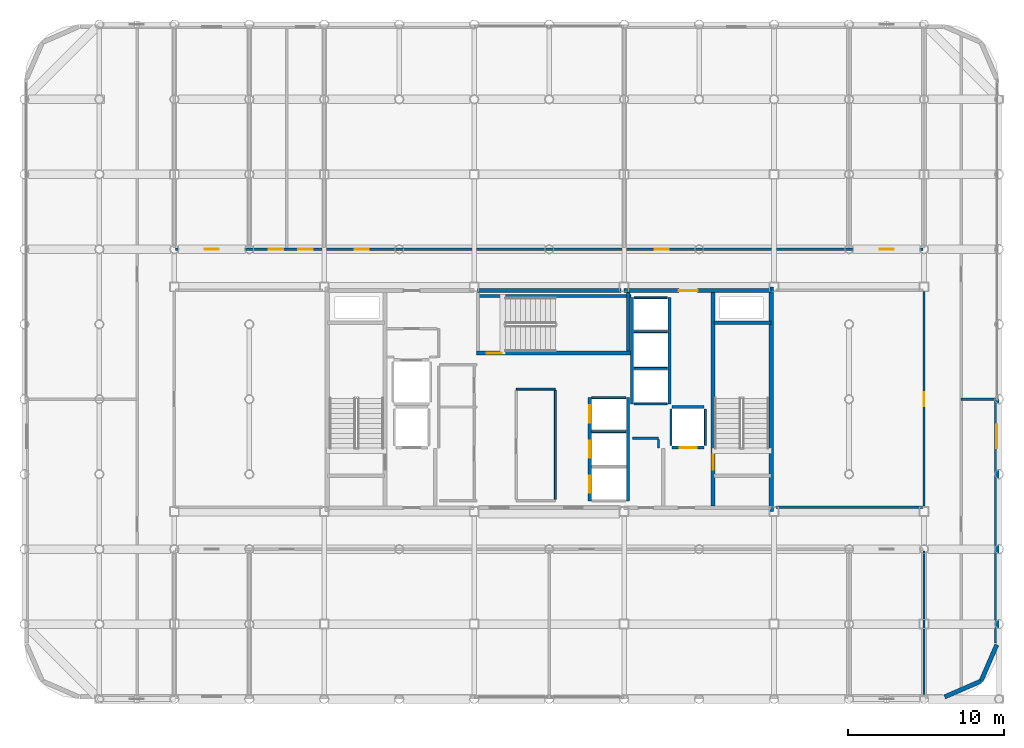
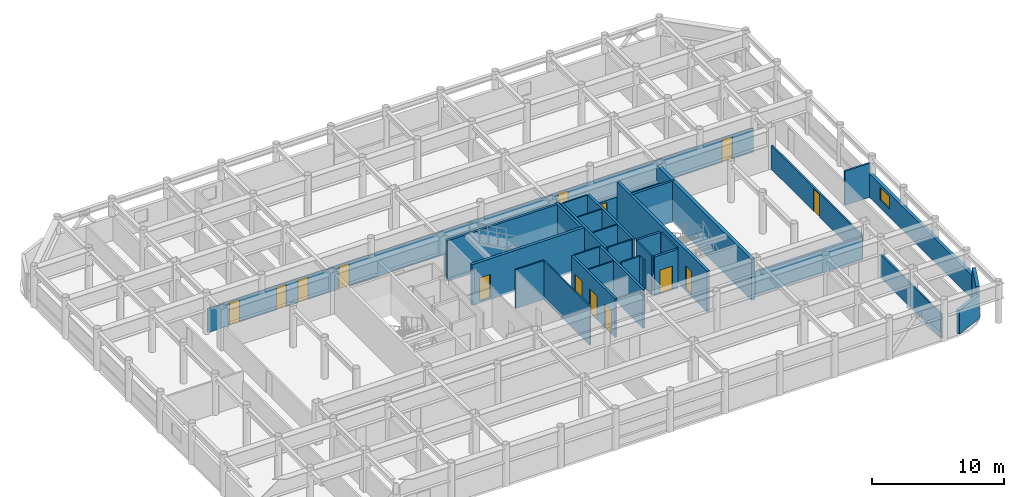
# One storey, part 19 of 21: 34 walls, 14 doors, 1 window, 15 openings.
"""IFC4 building model written with IfcOpenShell, lengths in metres."""

from ifc_helpers import new_model, si_unit, direction, frame, frame_2d, origin, place, context, subcontext, project, spatial, rectangle, extrude, material, layer, layer_set, type_object, element, fill, save


model = new_model("IFC4")

# Units and contexts
model_context = context("Model", 3, precision=1e-05, world=origin(), true_north=direction((0.0, 1.0)))
body_context = subcontext(model_context, "Body", "Model", "MODEL_VIEW")
ifc_project = project(units=[si_unit("LENGTHUNIT", "METRE"), si_unit("AREAUNIT", "SQUARE_METRE"), si_unit("VOLUMEUNIT", "CUBIC_METRE"), si_unit("PLANEANGLEUNIT", "RADIAN"), si_unit("MASSUNIT", "GRAM", prefix="KILO")], contexts=[model_context])

# Site, building, storey
site_placement = place(None, origin())
site = spatial("IfcSite", under=ifc_project, at=site_placement, CompositionType="ELEMENT")
building_placement = place(site_placement, origin())
building = spatial("IfcBuilding", under=site, at=building_placement, Name="Kallvorn Hotel Tower", CompositionType="ELEMENT")
storey_placement = place(building_placement, frame((0.0, 0.0, 272.35009765625)))
storey = spatial("IfcBuildingStorey", under=building, at=storey_placement, Name="L68", CompositionType="ELEMENT", Elevation=272.35009765625)

# Walls
ifc_material_1 = material(Name="Concrete C50/60", Category="concrete")
ifc_layer_1 = layer(ifc_material_1, 0.300048828125)
ifc_layer_set_1 = layer_set([ifc_layer_1], Name="WL_CORE_300")
wall_type_1 = type_object("IfcWallType", Name="WL_CORE_300", PredefinedType="SHEAR", material=ifc_layer_set_1)
wall_1_placement = place(storey_placement, frame((14.215087890625, -7.199951171875, -0.18017578125), z_axis=(0.0, 0.0, 1.0), x_axis=(0.0, 1.0, 0.0)))
element("IfcWall", 1, at=wall_1_placement, inside=storey, type_object=wall_type_1, Name="L68 Core East Shear Wall", PredefinedType="SHEAR", context=body_context, shape_type="SweptSolid", body=[
    extrude(rectangle(XDim=14.39990234375, YDim=0.300048828125, at=frame_2d((7.199951171875, 0.0))), origin(), (0.0, 0.0, 1.0), 3.780029296875),
])
ifc_material_2 = material(Name="Precast basalt-clad insulated concrete wall C40/50", Category="masonry")
ifc_layer_2 = layer(ifc_material_2, 0.280029296875)
ifc_layer_set_2 = layer_set([ifc_layer_2], Name="WL_EXT_LOGGIA_280")
wall_type_2 = type_object("IfcWallType", Name="WL_EXT_LOGGIA_280", PredefinedType="SOLIDWALL", material=ifc_layer_set_2)
wall_2_placement = place(storey_placement, frame((25.32080078125, -19.057861328125, 0.0), z_axis=(0.0, 0.0, 1.0), x_axis=(0.917060872934, 0.398747232384, 0.0)))
element("IfcWall", 2, at=wall_2_placement, inside=storey, type_object=wall_type_2, Name="L68 Rounded Corner Exterior Wall SE1", PredefinedType="SOLIDWALL", context=body_context, shape_type="SweptSolid", body=[
    extrude(rectangle(XDim=2.5361328125, YDim=0.280029296875, at=frame_2d((1.26806640625, 0.0))), origin(), (0.0, 0.0, 1.0), 2.199951171875),
])
wall_3_placement = place(storey_placement, frame((27.646484375, -18.046630859375, 0.0), z_axis=(0.0, 0.0, 1.0), x_axis=(0.398792985289, 0.917040977756, 0.0)))
element("IfcWall", 3, at=wall_3_placement, inside=storey, type_object=wall_type_2, Name="L68 Rounded Corner Exterior Wall SE2", PredefinedType="SOLIDWALL", context=body_context, shape_type="SweptSolid", body=[
    extrude(rectangle(XDim=2.536376953125, YDim=0.280029296875, at=frame_2d((1.26806640625, 0.0))), origin(), (0.0, 0.0, 1.0), 2.949951171875),
])

# Wall, opening, window
wall_4_placement = place(storey_placement, frame((28.659912109375, -15.60009765625, 0.0), z_axis=(0.0, 0.0, 1.0), x_axis=(0.0, 1.0, 0.0)))
wall_4 = element("IfcWall", 4, at=wall_4_placement, inside=storey, type_object=wall_type_2, Name="L68 Exterior Envelope Wall EW-L68-ES", PredefinedType="SOLIDWALL", context=body_context, shape_type="SweptSolid", body=[
    extrude(rectangle(XDim=15.580078125, YDim=0.280029296875, at=frame_2d((7.7900390625, 0.0))), origin(), (0.0, 0.0, 1.0), 2.199951171875),
])
opening_1_placement = place(wall_4_placement, frame((12.449951171875, 0.0, 0.75)))
opening_1 = element("IfcOpeningElement", 5, at=opening_1_placement, cuts=wall_4, Name="Opening W05A", PredefinedType="OPENING", context=body_context, shape_type="SweptSolid", body=[
    extrude(rectangle(XDim=1.5, YDim=1.14990234375, at=frame_2d((0.75, 0.574951171875))), frame((0.0, 0.155029296875, 0.0), z_axis=(0.0, -1.0, 0.0), x_axis=(1.0, 0.0, 0.0)), (0.0, 0.0, 1.0), 0.31005859375),
])
ifc_material_3 = material(Name="Double-glazed low-e solar-control dark glass", Category="glass")
window_type = type_object("IfcWindowType", Name="WN_HTL_1500x1150", PartitioningType="SINGLE_PANEL", PredefinedType="WINDOW", material=ifc_material_3)
window_placement = place(opening_1_placement, origin())
window = element("IfcWindow", 6, at=window_placement, inside=storey, type_object=window_type, Name="L68 Flank Wing Window 04", OverallHeight=1.14990234375, OverallWidth=1.5, PartitioningType="SINGLE_PANEL", PredefinedType="WINDOW", context=body_context, shape_type="SweptSolid", body=[
    extrude(rectangle(XDim=1.5, YDim=1.14990234375, at=frame_2d((0.75, 0.574951171875))), frame((0.0, 0.030029296875, 0.0), z_axis=(0.0, -1.0, 0.0), x_axis=(1.0, 0.0, 0.0)), (0.0, 0.0, 1.0), 0.06005859375),
])
fill(opening_1, window)

# Walls
ifc_material_4 = material(Name="Concrete C40/50", Category="concrete")
ifc_layer_3 = layer(ifc_material_4, 0.199951171875)
ifc_layer_set_3 = layer_set([ifc_layer_3], Name="WL_HOIST_200")
wall_type_3 = type_object("IfcWallType", Name="WL_HOIST_200", PredefinedType="SOLIDWALL", material=ifc_layer_set_3)
wall_5_placement = place(storey_placement, frame((10.550048828125, 4.89990234375, -0.18017578125), z_axis=(0.0, 0.0, 1.0), x_axis=(1.0, 0.0, 0.0)))
element("IfcWall", 7, at=wall_5_placement, inside=storey, type_object=wall_type_3, Name="L68 Stair ST2 North Wall", PredefinedType="SOLIDWALL", context=body_context, shape_type="SweptSolid", body=[
    extrude(rectangle(XDim=3.64990234375, YDim=0.199951171875, at=frame_2d((1.824951171875, 0.0))), origin(), (0.0, 0.0, 1.0), 3.780029296875),
])
wall_6_placement = place(storey_placement, frame((-4.64990234375, 6.610107421875, -0.18017578125), z_axis=(0.0, 0.0, 1.0), x_axis=(1.0, 0.0, 0.0)))
element("IfcWall", 8, at=wall_6_placement, inside=storey, type_object=wall_type_3, Name="L68 Stair ST3 Shaft North Wall", PredefinedType="SOLIDWALL", context=body_context, shape_type="SweptSolid", body=[
    extrude(rectangle(XDim=9.89990234375, YDim=0.199951171875, at=frame_2d((4.949951171875, 0.0))), origin(), (0.0, 0.0, 1.0), 3.780029296875),
])
wall_7_placement = place(storey_placement, frame((5.06005859375, 3.080078125, -0.18017578125), z_axis=(0.0, 0.0, 1.0), x_axis=(0.0, 1.0, 0.0)))
element("IfcWall", 9, at=wall_7_placement, inside=storey, type_object=wall_type_3, Name="L68 Stair ST3 East Wall", PredefinedType="SOLIDWALL", context=body_context, shape_type="SweptSolid", body=[
    extrude(rectangle(XDim=3.739990234375, YDim=0.199951171875, at=frame_2d((1.8701171875, 0.0))), origin(), (0.0, 0.0, 1.0), 3.780029296875),
])

# Wall, openings, doors
wall_8_placement = place(storey_placement, frame((2.60009765625, -6.5, 0.0), z_axis=(0.0, 0.0, 1.0), x_axis=(0.0, 1.0, 0.0)))
wall_8 = element("IfcWall", 10, at=wall_8_placement, inside=storey, type_object=wall_type_3, Name="L68 Lift Bank B3A Landing Wall", PredefinedType="SOLIDWALL", context=body_context, shape_type="SweptSolid", body=[
    extrude(rectangle(XDim=6.60009765625, YDim=0.199951171875, at=frame_2d((3.300048828125, 0.0))), origin(), (0.0, 0.0, 1.0), 3.599853515625),
])
opening_2_placement = place(wall_8_placement, frame((0.5, 0.0, 0.0)))
opening_2 = element("IfcOpeningElement", 11, at=opening_2_placement, cuts=wall_8, Name="Opening LD-PL-09", PredefinedType="OPENING", context=body_context, shape_type="SweptSolid", body=[
    extrude(rectangle(XDim=1.10009765625, YDim=2.199951171875, at=frame_2d((0.550048828125, 1.10009765625))), frame((0.0, 0.114990234375, 0.0), z_axis=(0.0, -1.0, 0.0), x_axis=(1.0, 0.0, 0.0)), (0.0, 0.0, 1.0), 0.22998046875),
])
opening_3_placement = place(wall_8_placement, frame((2.75, 0.0, 0.0)))
opening_3 = element("IfcOpeningElement", 12, at=opening_3_placement, cuts=wall_8, Name="Opening LD-PL-10", PredefinedType="OPENING", context=body_context, shape_type="SweptSolid", body=[
    extrude(rectangle(XDim=1.10009765625, YDim=2.199951171875, at=frame_2d((0.550048828125, 1.10009765625))), frame((0.0, 0.114990234375, 0.0), z_axis=(0.0, -1.0, 0.0), x_axis=(1.0, 0.0, 0.0)), (0.0, 0.0, 1.0), 0.22998046875),
])
opening_4_placement = place(wall_8_placement, frame((5.0, 0.0, 0.0)))
opening_4 = element("IfcOpeningElement", 13, at=opening_4_placement, cuts=wall_8, Name="Opening LD-PL-11", PredefinedType="OPENING", context=body_context, shape_type="SweptSolid", body=[
    extrude(rectangle(XDim=1.10009765625, YDim=2.199951171875, at=frame_2d((0.550048828125, 1.10009765625))), frame((0.0, 0.114990234375, 0.0), z_axis=(0.0, -1.0, 0.0), x_axis=(1.0, 0.0, 0.0)), (0.0, 0.0, 1.0), 0.22998046875),
])
ifc_material_5 = material(Name="Brushed stainless-steel automatic sliding lift landing door", Category="steel")
door_type_1 = type_object("IfcDoorType", Name="LD_PASS_1100x2200", OperationType="SLIDING_TO_LEFT", PredefinedType="DOOR", material=ifc_material_5)
door_1_placement = place(opening_2_placement, origin())
door_1 = element("IfcDoor", 14, at=door_1_placement, inside=storey, type_object=door_type_1, Name="L68 Lift Landing Sliding Door LD-PL-09", OperationType="SLIDING_TO_LEFT", OverallHeight=2.199951171875, OverallWidth=1.10009765625, PredefinedType="DOOR", context=body_context, shape_type="SweptSolid", body=[
    extrude(rectangle(XDim=1.10009765625, YDim=2.199951171875, at=frame_2d((0.550048828125, 1.10009765625))), frame((0.0, 0.02490234375, 0.0), z_axis=(0.0, -1.0, 0.0), x_axis=(1.0, 0.0, 0.0)), (0.0, 0.0, 1.0), 0.050048828125),
])
fill(opening_2, door_1)
door_2_placement = place(opening_3_placement, origin())
door_2 = element("IfcDoor", 15, at=door_2_placement, inside=storey, type_object=door_type_1, Name="L68 Lift Landing Sliding Door LD-PL-10", OperationType="SLIDING_TO_LEFT", OverallHeight=2.199951171875, OverallWidth=1.10009765625, PredefinedType="DOOR", context=body_context, shape_type="SweptSolid", body=[
    extrude(rectangle(XDim=1.10009765625, YDim=2.199951171875, at=frame_2d((0.550048828125, 1.10009765625))), frame((0.0, 0.02490234375, 0.0), z_axis=(0.0, -1.0, 0.0), x_axis=(1.0, 0.0, 0.0)), (0.0, 0.0, 1.0), 0.050048828125),
])
fill(opening_3, door_2)
door_3_placement = place(opening_4_placement, origin())
door_3 = element("IfcDoor", 16, at=door_3_placement, inside=storey, type_object=door_type_1, Name="L68 Lift Landing Sliding Door LD-PL-11", OperationType="SLIDING_TO_LEFT", OverallHeight=2.199951171875, OverallWidth=1.10009765625, PredefinedType="DOOR", context=body_context, shape_type="SweptSolid", body=[
    extrude(rectangle(XDim=1.10009765625, YDim=2.199951171875, at=frame_2d((0.550048828125, 1.10009765625))), frame((0.0, 0.02490234375, 0.0), z_axis=(0.0, -1.0, 0.0), x_axis=(1.0, 0.0, 0.0)), (0.0, 0.0, 1.0), 0.050048828125),
])
fill(opening_4, door_3)

# Walls
wall_9_placement = place(storey_placement, frame((5.050048828125, -6.5, 0.0), z_axis=(0.0, 0.0, 1.0), x_axis=(0.0, 1.0, 0.0)))
element("IfcWall", 17, at=wall_9_placement, inside=storey, type_object=wall_type_3, Name="L68 Lift Bank B3A Rear Shaft Wall", PredefinedType="SOLIDWALL", context=body_context, shape_type="SweptSolid", body=[
    extrude(rectangle(XDim=6.60009765625, YDim=0.199951171875, at=frame_2d((3.300048828125, 0.0))), origin(), (0.0, 0.0, 1.0), 3.599853515625),
])
for number, where, z_axis, x_axis, name in (
    (18, (7.699951171875, -0.300048828125, 0.0), (0.0, 0.0, 1.0), (0.0, 1.0, 0.0), "L68 Lift Bank OBS Landing Wall"),
    (19, (5.300048828125, -0.300048828125, 0.0), (0.0, 0.0, 1.0), (0.0, 1.0, 0.0), "L68 Lift Bank OBS Rear Shaft Wall"),
):
    element("IfcWall", number, at=place(storey_placement, frame(where, z_axis=z_axis, x_axis=x_axis)), inside=storey, type_object=wall_type_3, Name=name, PredefinedType="SOLIDWALL", context=body_context, shape_type="SweptSolid", body=[
        extrude(rectangle(XDim=6.800048828125, YDim=0.199951171875, at=frame_2d((3.39990234375, 0.0))), origin(), (0.0, 0.0, 1.0), 3.599853515625),
    ])

# Wall, opening, door
wall_10_placement = place(storey_placement, frame((7.8798828125, -3.10009765625, 0.0), z_axis=(0.0, 0.0, 1.0), x_axis=(1.0, 0.0, 0.0)))
wall_10 = element("IfcWall", 20, at=wall_10_placement, inside=storey, type_object=wall_type_3, Name="L68 FL-2 Landing Wall", PredefinedType="SOLIDWALL", context=body_context, shape_type="SweptSolid", body=[
    extrude(rectangle(XDim=2.0400390625, YDim=0.199951171875, at=frame_2d((1.02001953125, 0.0))), origin(), (0.0, 0.0, 1.0), 3.599853515625),
])
opening_5_placement = place(wall_10_placement, frame((0.469970703125, 0.0, 0.0)))
opening_5 = element("IfcOpeningElement", 21, at=opening_5_placement, cuts=wall_10, Name="Opening LD-FL-2", PredefinedType="OPENING", context=body_context, shape_type="SweptSolid", body=[
    extrude(rectangle(XDim=1.10009765625, YDim=2.199951171875, at=frame_2d((0.550048828125, 1.10009765625))), frame((0.0, 0.114990234375, 0.0), z_axis=(0.0, -1.0, 0.0), x_axis=(1.0, 0.0, 0.0)), (0.0, 0.0, 1.0), 0.22998046875),
])
door_4_placement = place(opening_5_placement, origin())
door_4 = element("IfcDoor", 22, at=door_4_placement, inside=storey, type_object=door_type_1, Name="L68 Lift Landing Sliding Door LD-FL-2", OperationType="SLIDING_TO_LEFT", OverallHeight=2.199951171875, OverallWidth=1.10009765625, PredefinedType="DOOR", context=body_context, shape_type="SweptSolid", body=[
    extrude(rectangle(XDim=1.10009765625, YDim=2.199951171875, at=frame_2d((0.550048828125, 1.10009765625))), frame((0.0, 0.02490234375, 0.0), z_axis=(0.0, -1.0, 0.0), x_axis=(1.0, 0.0, 0.0)), (0.0, 0.0, 1.0), 0.050048828125),
])
fill(opening_5, door_4)

# Walls
wall_11_placement = place(storey_placement, frame((7.8798828125, -0.5, 0.0), z_axis=(0.0, 0.0, 1.0), x_axis=(1.0, 0.0, 0.0)))
element("IfcWall", 23, at=wall_11_placement, inside=storey, type_object=wall_type_3, Name="L68 FL-2 Rear Shaft Wall", PredefinedType="SOLIDWALL", context=body_context, shape_type="SweptSolid", body=[
    extrude(rectangle(XDim=2.0400390625, YDim=0.199951171875, at=frame_2d((1.02001953125, 0.0))), origin(), (0.0, 0.0, 1.0), 3.599853515625),
])
ifc_material_6 = material(Name="Fire-rated double-layer acoustic gypsum drywall EI 60")
ifc_layer_4 = layer(ifc_material_6, 0.1201171875)
ifc_layer_set_4 = layer_set([ifc_layer_4], Name="WL_INT_120")
wall_type_4 = type_object("IfcWallType", Name="WL_INT_120", PredefinedType="PARTITIONING", material=ifc_layer_set_4)
for number, where, z_axis, x_axis, name in (
    (24, (2.739990234375, -2.074951171875, 0.0), (0.0, 0.0, 1.0), (1.0, 0.0, 0.0), "L68 PL-10 Hoistway Divider"),
    (25, (2.739990234375, 0.10009765625, 0.0), (0.0, 0.0, 1.0), (1.0, 0.0, 0.0), "L68 PL-11 Hoistway Divider"),
):
    element("IfcWall", number, at=place(storey_placement, frame(where, z_axis=z_axis, x_axis=x_axis)), inside=storey, type_object=wall_type_4, Name=name, PredefinedType="PARTITIONING", context=body_context, shape_type="SweptSolid", body=[
        extrude(rectangle(XDim=2.169921875, YDim=0.1201171875, at=frame_2d((1.0849609375, 0.0))), origin(), (0.0, 0.0, 1.0), 3.599853515625),
    ])
for number, where, z_axis, x_axis, name in (
    (26, (5.43994140625, -0.300048828125, 0.0), (0.0, 0.0, 1.0), (1.0, 0.0, 0.0), "L68 Lift Bank OBS South Closure Wall"),
    (27, (5.43994140625, 1.97509765625, 0.0), (0.0, 0.0, 1.0), (1.0, 0.0, 0.0), "L68 OB-01 Hoistway Divider"),
    (28, (5.43994140625, 4.324951171875, 0.0), (0.0, 0.0, 1.0), (1.0, 0.0, 0.0), "L68 OB-02 Hoistway Divider"),
    (29, (5.43994140625, 6.5, 0.0), (0.0, 0.0, 1.0), (1.0, 0.0, 0.0), "L68 OB-03 Hoistway Divider"),
):
    element("IfcWall", number, at=place(storey_placement, frame(where, z_axis=z_axis, x_axis=x_axis)), inside=storey, type_object=wall_type_4, Name=name, PredefinedType="PARTITIONING", context=body_context, shape_type="SweptSolid", body=[
        extrude(rectangle(XDim=2.1201171875, YDim=0.1201171875, at=frame_2d((1.06005859375, 0.0))), origin(), (0.0, 0.0, 1.0), 3.599853515625),
    ])
for number, where, z_axis, x_axis, name in (
    (30, (7.800048828125, -2.9599609375, 0.0), (0.0, 0.0, 1.0), (0.0, 1.0, 0.0), "L68 FL-2 West Shaft Wall"),
    (31, (10.0, -2.9599609375, 0.0), (0.0, 0.0, 1.0), (0.0, 1.0, 0.0), "L68 FL-2 East Shaft Wall"),
):
    element("IfcWall", number, at=place(storey_placement, frame(where, z_axis=z_axis, x_axis=x_axis)), inside=storey, type_object=wall_type_4, Name=name, PredefinedType="PARTITIONING", context=body_context, shape_type="SweptSolid", body=[
        extrude(rectangle(XDim=2.320068359375, YDim=0.1201171875, at=frame_2d((1.16015625, 0.0))), origin(), (0.0, 0.0, 1.0), 3.599853515625),
    ])
wall_12_placement = place(storey_placement, frame((-2.10009765625, 0.64990234375, 0.0), z_axis=(0.0, 0.0, 1.0), x_axis=(1.0, 0.0, 0.0)))
element("IfcWall", 32, at=wall_12_placement, inside=storey, type_object=wall_type_4, Name="L68 High-Zone IT and Tableware Reserve Room Partition", PredefinedType="PARTITIONING", context=body_context, shape_type="SweptSolid", body=[
    extrude(rectangle(XDim=2.5, YDim=0.1201171875, at=frame_2d((1.25, 0.0))), origin(), (0.0, 0.0, 1.0), 3.599853515625),
])
wall_13_placement = place(storey_placement, frame((0.39990234375, -6.4150390625, 0.0), z_axis=(0.0, 0.0, 1.0), x_axis=(0.0, 1.0, 0.0)))
element("IfcWall", 33, at=wall_13_placement, inside=storey, type_object=wall_type_4, Name="L68 High-Zone IT and Tableware Reserve Room Partition", PredefinedType="PARTITIONING", context=body_context, shape_type="SweptSolid", body=[
    extrude(rectangle(XDim=6.97998046875, YDim=0.1201171875, at=frame_2d((3.489990234375, 0.0))), origin(), (0.0, 0.0, 1.0), 3.599853515625),
])
ifc_material_7 = material(Name="Fire-rated double-layer acoustic gypsum drywall EI 60")
ifc_layer_5 = layer(ifc_material_7, 0.14990234375)
ifc_layer_set_5 = layer_set([ifc_layer_5], Name="WL_PART_150")
wall_type_5 = type_object("IfcWallType", Name="WL_PART_150", PredefinedType="PARTITIONING", material=ifc_layer_set_5)
wall_14_placement = place(storey_placement, frame((14.52001953125, -6.919921875, 0.0), z_axis=(0.0, 0.0, 1.0), x_axis=(1.0, 0.0, 0.0)))
element("IfcWall", 34, at=wall_14_placement, inside=storey, type_object=wall_type_5, Name="L68 L68 High-Zone Inner East Club Gallery Partition", PredefinedType="PARTITIONING", context=body_context, shape_type="SweptSolid", body=[
    extrude(rectangle(XDim=9.39990234375, YDim=0.14990234375, at=frame_2d((4.699951171875, 0.0))), origin(), (0.0, 0.0, 1.0), 2.199951171875),
])
wall_15_placement = place(storey_placement, frame((26.3798828125, 0.0, 0.0), z_axis=(0.0, 0.0, 1.0), x_axis=(1.0, 0.0, 0.0)))
element("IfcWall", 35, at=wall_15_placement, inside=storey, type_object=wall_type_5, Name="L68 L68 Outer East South Tasting Bar Partition", PredefinedType="PARTITIONING", context=body_context, shape_type="SweptSolid", body=[
    extrude(rectangle(XDim=2.25, YDim=0.14990234375, at=frame_2d((1.125, 0.0))), origin(), (0.0, 0.0, 1.0), 3.159912109375),
])

# Wall, openings, doors
wall_16_placement = place(storey_placement, frame((-23.919921875, 9.60009765625, 0.0), z_axis=(0.0, 0.0, 1.0), x_axis=(1.0, 0.0, 0.0)))
wall_16 = element("IfcWall", 36, at=wall_16_placement, inside=storey, type_object=wall_type_5, Name="L68 L68 High-Zone North-West Reading Salon Partition", PredefinedType="PARTITIONING", context=body_context, shape_type="SweptSolid", body=[
    extrude(rectangle(XDim=47.83984375, YDim=0.14990234375, at=frame_2d((23.919921875, 0.0))), origin(), (0.0, 0.0, 1.0), 2.199951171875),
])
opening_6_placement = place(wall_16_placement, frame((1.8701171875, 0.0, 0.0)))
opening_6 = element("IfcOpeningElement", 37, at=opening_6_placement, cuts=wall_16, Name="Opening SVD1", PredefinedType="OPENING", context=body_context, shape_type="SweptSolid", body=[
    extrude(rectangle(XDim=0.89990234375, YDim=2.10009765625, at=frame_2d((0.449951171875, 1.050048828125))), frame((0.0, 0.08984375, 0.0), z_axis=(0.0, -1.0, 0.0), x_axis=(1.0, 0.0, 0.0)), (0.0, 0.0, 1.0), 0.179931640625),
])
opening_7_placement = place(wall_16_placement, frame((45.070068359375, 0.0, 0.0)))
opening_7 = element("IfcOpeningElement", 38, at=opening_7_placement, cuts=wall_16, Name="Opening SVD1", PredefinedType="OPENING", context=body_context, shape_type="SweptSolid", body=[
    extrude(rectangle(XDim=0.89990234375, YDim=2.10009765625, at=frame_2d((0.449951171875, 1.050048828125))), frame((0.0, 0.08984375, 0.0), z_axis=(0.0, -1.0, 0.0), x_axis=(1.0, 0.0, 0.0)), (0.0, 0.0, 1.0), 0.179931640625),
])
opening_8_placement = place(wall_16_placement, frame((5.97998046875, 0.0, 0.0)))
opening_8 = element("IfcOpeningElement", 39, at=opening_8_placement, cuts=wall_16, Name="Opening SVD1", PredefinedType="OPENING", context=body_context, shape_type="SweptSolid", body=[
    extrude(rectangle(XDim=0.89990234375, YDim=2.10009765625, at=frame_2d((0.449951171875, 1.050048828125))), frame((0.0, 0.08984375, 0.0), z_axis=(0.0, -1.0, 0.0), x_axis=(1.0, 0.0, 0.0)), (0.0, 0.0, 1.0), 0.179931640625),
])
opening_9_placement = place(wall_16_placement, frame((7.8701171875, 0.0, 0.0)))
opening_9 = element("IfcOpeningElement", 40, at=opening_9_placement, cuts=wall_16, Name="Opening SVD1", PredefinedType="OPENING", context=body_context, shape_type="SweptSolid", body=[
    extrude(rectangle(XDim=0.89990234375, YDim=2.10009765625, at=frame_2d((0.449951171875, 1.050048828125))), frame((0.0, 0.08984375, 0.0), z_axis=(0.0, -1.0, 0.0), x_axis=(1.0, 0.0, 0.0)), (0.0, 0.0, 1.0), 0.179931640625),
])
opening_10_placement = place(wall_16_placement, frame((11.469970703125, 0.0, 0.0)))
opening_10 = element("IfcOpeningElement", 41, at=opening_10_placement, cuts=wall_16, Name="Opening SVD1", PredefinedType="OPENING", context=body_context, shape_type="SweptSolid", body=[
    extrude(rectangle(XDim=0.89990234375, YDim=2.10009765625, at=frame_2d((0.449951171875, 1.050048828125))), frame((0.0, 0.08984375, 0.0), z_axis=(0.0, -1.0, 0.0), x_axis=(1.0, 0.0, 0.0)), (0.0, 0.0, 1.0), 0.179931640625),
])
opening_11_placement = place(wall_16_placement, frame((30.669921875, 0.0, 0.0)))
opening_11 = element("IfcOpeningElement", 42, at=opening_11_placement, cuts=wall_16, Name="Opening SVD1", PredefinedType="OPENING", context=body_context, shape_type="SweptSolid", body=[
    extrude(rectangle(XDim=0.89990234375, YDim=2.10009765625, at=frame_2d((0.449951171875, 1.050048828125))), frame((0.0, 0.08984375, 0.0), z_axis=(0.0, -1.0, 0.0), x_axis=(1.0, 0.0, 0.0)), (0.0, 0.0, 1.0), 0.179931640625),
])
ifc_material_8 = material(Name="Galvanised painted steel fire-rated door assembly", Category="steel")
door_type_2 = type_object("IfcDoorType", Name="DR_SERV_900x2100", OperationType="NOTDEFINED", PredefinedType="DOOR", material=ifc_material_8)
door_5_placement = place(opening_6_placement, origin())
door_5 = element("IfcDoor", 43, at=door_5_placement, inside=storey, type_object=door_type_2, Name="L68 L68 High-Zone North-West Reading Salon Door", OperationType="SINGLE_SWING_LEFT", OverallHeight=2.10009765625, OverallWidth=0.89990234375, PredefinedType="DOOR", context=body_context, shape_type="SweptSolid", body=[
    extrude(rectangle(XDim=0.89990234375, YDim=2.10009765625, at=frame_2d((0.449951171875, 1.050048828125))), frame((0.0, 0.02490234375, 0.0), z_axis=(0.0, -1.0, 0.0), x_axis=(1.0, 0.0, 0.0)), (0.0, 0.0, 1.0), 0.050048828125),
])
fill(opening_6, door_5)
door_6_placement = place(opening_7_placement, origin())
door_6 = element("IfcDoor", 44, at=door_6_placement, inside=storey, type_object=door_type_2, Name="L68 L68 High-Zone North-East Pastry Bar Door", OperationType="SINGLE_SWING_LEFT", OverallHeight=2.10009765625, OverallWidth=0.89990234375, PredefinedType="DOOR", context=body_context, shape_type="SweptSolid", body=[
    extrude(rectangle(XDim=0.89990234375, YDim=2.10009765625, at=frame_2d((0.449951171875, 1.050048828125))), frame((0.0, 0.02490234375, 0.0), z_axis=(0.0, -1.0, 0.0), x_axis=(1.0, 0.0, 0.0)), (0.0, 0.0, 1.0), 0.050048828125),
])
fill(opening_7, door_6)
door_7_placement = place(opening_8_placement, origin())
door_7 = element("IfcDoor", 45, at=door_7_placement, inside=storey, type_object=door_type_2, Name="L68 Housekeeping and Linen Room Door", OperationType="SINGLE_SWING_LEFT", OverallHeight=2.10009765625, OverallWidth=0.89990234375, PredefinedType="DOOR", context=body_context, shape_type="SweptSolid", body=[
    extrude(rectangle(XDim=0.89990234375, YDim=2.10009765625, at=frame_2d((0.449951171875, 1.050048828125))), frame((0.0, 0.02490234375, 0.0), z_axis=(0.0, -1.0, 0.0), x_axis=(1.0, 0.0, 0.0)), (0.0, 0.0, 1.0), 0.050048828125),
])
fill(opening_8, door_7)
door_8_placement = place(opening_9_placement, origin())
door_8 = element("IfcDoor", 46, at=door_8_placement, inside=storey, type_object=door_type_2, Name="L68 Guest Tea and Refreshment Bar Door", OperationType="SINGLE_SWING_RIGHT", OverallHeight=2.10009765625, OverallWidth=0.89990234375, PredefinedType="DOOR", context=body_context, shape_type="SweptSolid", body=[
    extrude(rectangle(XDim=0.89990234375, YDim=2.10009765625, at=frame_2d((0.449951171875, 1.050048828125))), frame((0.0, 0.02490234375, 0.0), z_axis=(0.0, -1.0, 0.0), x_axis=(1.0, 0.0, 0.0)), (0.0, 0.0, 1.0), 0.050048828125),
])
fill(opening_9, door_8)
door_9_placement = place(opening_10_placement, origin())
door_9 = element("IfcDoor", 47, at=door_9_placement, inside=storey, type_object=door_type_2, Name="L68 L68 Restaurant Culinary Catering Kitchen 2 Door", OperationType="SINGLE_SWING_LEFT", OverallHeight=2.10009765625, OverallWidth=0.89990234375, PredefinedType="DOOR", context=body_context, shape_type="SweptSolid", body=[
    extrude(rectangle(XDim=0.89990234375, YDim=2.10009765625, at=frame_2d((0.449951171875, 1.050048828125))), frame((0.0, 0.02490234375, 0.0), z_axis=(0.0, -1.0, 0.0), x_axis=(1.0, 0.0, 0.0)), (0.0, 0.0, 1.0), 0.050048828125),
])
fill(opening_10, door_9)
door_10_placement = place(opening_11_placement, origin())
door_10 = element("IfcDoor", 48, at=door_10_placement, inside=storey, type_object=door_type_2, Name="L68 L68 Haute Couture Design Retail Shop 3 Door", OperationType="SINGLE_SWING_RIGHT", OverallHeight=2.10009765625, OverallWidth=0.89990234375, PredefinedType="DOOR", context=body_context, shape_type="SweptSolid", body=[
    extrude(rectangle(XDim=0.89990234375, YDim=2.10009765625, at=frame_2d((0.449951171875, 1.050048828125))), frame((0.0, 0.02490234375, 0.0), z_axis=(0.0, -1.0, 0.0), x_axis=(1.0, 0.0, 0.0)), (0.0, 0.0, 1.0), 0.050048828125),
])
fill(opening_11, door_10)

# Wall
wall_17_placement = place(storey_placement, frame((24.0, -18.909912109375, 0.0), z_axis=(0.0, 0.0, 1.0), x_axis=(0.0, 1.0, 0.0)))
element("IfcWall", 49, at=wall_17_placement, inside=storey, type_object=wall_type_5, Name="L68 L68 High-Zone South-East Wine Bar Partition", PredefinedType="PARTITIONING", context=body_context, shape_type="SweptSolid", body=[
    extrude(rectangle(XDim=9.18994140625, YDim=0.14990234375, at=frame_2d((4.594970703125, 0.0))), origin(), (0.0, 0.0, 1.0), 2.199951171875),
])

# Wall, opening, door
wall_18_placement = place(storey_placement, frame((24.0, -6.8349609375, 0.0), z_axis=(0.0, 0.0, 1.0), x_axis=(0.0, 1.0, 0.0)))
wall_18 = element("IfcWall", 50, at=wall_18_placement, inside=storey, type_object=wall_type_5, Name="L68 L68 High-Zone Inner East Club Gallery Partition", PredefinedType="PARTITIONING", context=body_context, shape_type="SweptSolid", body=[
    extrude(rectangle(XDim=13.72998046875, YDim=0.14990234375, at=frame_2d((6.864990234375, 0.0))), origin(), (0.0, 0.0, 1.0), 2.199951171875),
])
opening_12_placement = place(wall_18_placement, frame((6.385009765625, 0.0, 0.0)))
opening_12 = element("IfcOpeningElement", 51, at=opening_12_placement, cuts=wall_18, Name="Opening SVD1", PredefinedType="OPENING", context=body_context, shape_type="SweptSolid", body=[
    extrude(rectangle(XDim=0.89990234375, YDim=2.10009765625, at=frame_2d((0.449951171875, 1.050048828125))), frame((0.0, 0.08984375, 0.0), z_axis=(0.0, -1.0, 0.0), x_axis=(1.0, 0.0, 0.0)), (0.0, 0.0, 1.0), 0.179931640625),
])
door_11_placement = place(opening_12_placement, origin())
door_11 = element("IfcDoor", 52, at=door_11_placement, inside=storey, type_object=door_type_2, Name="L68 L68 High-Zone Inner East Club Gallery Door", OperationType="SINGLE_SWING_RIGHT", OverallHeight=2.10009765625, OverallWidth=0.89990234375, PredefinedType="DOOR", context=body_context, shape_type="SweptSolid", body=[
    extrude(rectangle(XDim=0.89990234375, YDim=2.10009765625, at=frame_2d((0.449951171875, 1.050048828125))), frame((0.0, 0.02490234375, 0.0), z_axis=(0.0, -1.0, 0.0), x_axis=(1.0, 0.0, 0.0)), (0.0, 0.0, 1.0), 0.050048828125),
])
fill(opening_12, door_11)

# Walls
ifc_material_9 = material(Name="Moisture-resistant acoustic plumbing chase wall EI 60")
ifc_layer_6 = layer(ifc_material_9, 0.139892578125)
ifc_layer_set_6 = layer_set([ifc_layer_6], Name="WL_PLUMB_140")
wall_type_6 = type_object("IfcWallType", Name="WL_PLUMB_140", PredefinedType="PLUMBINGWALL", material=ifc_layer_set_6)
wall_19_placement = place(storey_placement, frame((5.35009765625, -2.5, 0.0), z_axis=(0.0, 0.0, 1.0), x_axis=(1.0, 0.0, 0.0)))
element("IfcWall", 53, at=wall_19_placement, inside=storey, type_object=wall_type_6, Name="L68 Core Accessible Staff WC Partition", PredefinedType="PLUMBINGWALL", context=body_context, shape_type="SweptSolid", body=[
    extrude(rectangle(XDim=1.64990234375, YDim=0.139892578125, at=frame_2d((0.824951171875, 0.0))), origin(), (0.0, 0.0, 1.0), 3.599853515625),
])
wall_20_placement = place(storey_placement, frame((7.0, -3.110107421875, 0.0), z_axis=(0.0, 0.0, 1.0), x_axis=(0.0, 1.0, 0.0)))
element("IfcWall", 54, at=wall_20_placement, inside=storey, type_object=wall_type_6, Name="L68 Core Accessible Staff WC Partition", PredefinedType="PLUMBINGWALL", context=body_context, shape_type="SweptSolid", body=[
    extrude(rectangle(XDim=0.525146484375, YDim=0.139892578125, at=frame_2d((0.2626953125, 0.0))), origin(), (0.0, 0.0, 1.0), 3.599853515625),
])
ifc_material_10 = material(Name="Concrete C40/50", Category="concrete")
ifc_layer_7 = layer(ifc_material_10, 0.25)
ifc_layer_set_7 = layer_set([ifc_layer_7], Name="WL_SHAFT_250")
wall_type_7 = type_object("IfcWallType", Name="WL_SHAFT_250", PredefinedType="SOLIDWALL", material=ifc_layer_set_7)
wall_21_placement = place(storey_placement, frame((-4.60009765625, 6.949951171875, 0.0), z_axis=(0.0, 0.0, 1.0), x_axis=(1.0, 0.0, 0.0)))
element("IfcWall", 55, at=wall_21_placement, inside=storey, type_object=wall_type_7, Name="L68 Core North-Central Wall", PredefinedType="SOLIDWALL", context=body_context, shape_type="SweptSolid", body=[
    extrude(rectangle(XDim=9.2001953125, YDim=0.25, at=frame_2d((4.60009765625, 0.0))), origin(), (0.0, 0.0, 1.0), 2.199951171875),
])

# Wall, opening, door
wall_22_placement = place(storey_placement, frame((4.800048828125, 6.949951171875, 0.0), z_axis=(0.0, 0.0, 1.0), x_axis=(1.0, 0.0, 0.0)))
wall_22 = element("IfcWall", 56, at=wall_22_placement, inside=storey, type_object=wall_type_7, Name="L68 Core North-East Wall", PredefinedType="SOLIDWALL", context=body_context, shape_type="SweptSolid", body=[
    extrude(rectangle(XDim=9.39990234375, YDim=0.25, at=frame_2d((4.699951171875, 0.0))), origin(), (0.0, 0.0, 1.0), 2.199951171875),
])
opening_13_placement = place(wall_22_placement, frame((3.5, 0.0, 0.0)))
opening_13 = element("IfcOpeningElement", 57, at=opening_13_placement, cuts=wall_22, Name="Opening FD2A", PredefinedType="OPENING", context=body_context, shape_type="SweptSolid", body=[
    extrude(rectangle(XDim=1.199951171875, YDim=2.02001953125, at=frame_2d((0.60009765625, 1.010009765625))), frame((0.0, 0.139892578125, 0.0), z_axis=(0.0, -1.0, 0.0), x_axis=(1.0, 0.0, 0.0)), (0.0, 0.0, 1.0), 0.280029296875),
])
ifc_material_11 = material(Name="Galvanised painted steel fire-rated door assembly", Category="steel")
door_type_3 = type_object("IfcDoorType", Name="DR_LOBBY_1200x2020", OperationType="DOUBLE_DOOR_SINGLE_SWING", PredefinedType="DOOR", material=ifc_material_11)
door_12_placement = place(opening_13_placement, origin())
door_12 = element("IfcDoor", 58, at=door_12_placement, inside=storey, type_object=door_type_3, Name="L68 Observatory Shuttle Lobby Door", OperationType="DOUBLE_DOOR_SINGLE_SWING", OverallHeight=2.02001953125, OverallWidth=1.199951171875, PredefinedType="DOOR", context=body_context, shape_type="SweptSolid", body=[
    extrude(rectangle(XDim=1.199951171875, YDim=2.02001953125, at=frame_2d((0.60009765625, 1.010009765625))), frame((0.0, 0.02490234375, 0.0), z_axis=(0.0, -1.0, 0.0), x_axis=(1.0, 0.0, 0.0)), (0.0, 0.0, 1.0), 0.050048828125),
])
fill(opening_13, door_12)

wall_23_placement = place(storey_placement, frame((10.5, -6.820068359375, -0.18017578125), z_axis=(0.0, 0.0, 1.0), x_axis=(0.0, 1.0, 0.0)))
wall_23 = element("IfcWall", 59, at=wall_23_placement, inside=storey, type_object=wall_type_7, Name="L68 Stair ST2 Shaft Wall", PredefinedType="SOLIDWALL", context=body_context, shape_type="SweptSolid", body=[
    extrude(rectangle(XDim=13.64013671875, YDim=0.25, at=frame_2d((6.820068359375, 0.0))), origin(), (0.0, 0.0, 1.0), 3.780029296875),
])
opening_14_placement = place(wall_23_placement, frame((2.320068359375, 0.0, 0.179931640625)))
opening_14 = element("IfcOpeningElement", 60, at=opening_14_placement, cuts=wall_23, Name="Opening SD1", PredefinedType="OPENING", context=body_context, shape_type="SweptSolid", body=[
    extrude(rectangle(XDim=0.949951171875, YDim=2.14990234375, at=frame_2d((0.47509765625, 1.074951171875))), frame((0.0, 0.139892578125, 0.0), z_axis=(0.0, -1.0, 0.0), x_axis=(1.0, 0.0, 0.0)), (0.0, 0.0, 1.0), 0.280029296875),
])
ifc_material_12 = material(Name="Galvanised painted steel fire-rated door assembly", Category="steel")
door_type_4 = type_object("IfcDoorType", Name="DR_STAIR_950x2150", OperationType="NOTDEFINED", PredefinedType="DOOR", material=ifc_material_12)
door_13_placement = place(opening_14_placement, origin())
door_13 = element("IfcDoor", 61, at=door_13_placement, inside=storey, type_object=door_type_4, Name="L68 Exit Stair ST2 Fire Door", OperationType="SINGLE_SWING_LEFT", OverallHeight=2.14990234375, OverallWidth=0.949951171875, PredefinedType="DOOR", context=body_context, shape_type="SweptSolid", body=[
    extrude(rectangle(XDim=0.949951171875, YDim=2.14990234375, at=frame_2d((0.47509765625, 1.074951171875))), frame((0.0, 0.02490234375, 0.0), z_axis=(0.0, -1.0, 0.0), x_axis=(1.0, 0.0, 0.0)), (0.0, 0.0, 1.0), 0.050048828125),
])
fill(opening_14, door_13)

wall_24_placement = place(storey_placement, frame((-4.64990234375, 2.949951171875, -0.18017578125), z_axis=(0.0, 0.0, 1.0), x_axis=(1.0, 0.0, 0.0)))
wall_24 = element("IfcWall", 62, at=wall_24_placement, inside=storey, type_object=wall_type_7, Name="L68 Stair ST3 Shaft South Wall", PredefinedType="SOLIDWALL", context=body_context, shape_type="SweptSolid", body=[
    extrude(rectangle(XDim=9.89990234375, YDim=0.25, at=frame_2d((4.949951171875, 0.0))), origin(), (0.0, 0.0, 1.0), 3.780029296875),
])
opening_15_placement = place(wall_24_placement, frame((0.64990234375, 0.0, 0.179931640625)))
opening_15 = element("IfcOpeningElement", 63, at=opening_15_placement, cuts=wall_24, Name="Opening SD1", PredefinedType="OPENING", context=body_context, shape_type="SweptSolid", body=[
    extrude(rectangle(XDim=0.949951171875, YDim=2.14990234375, at=frame_2d((0.47509765625, 1.074951171875))), frame((0.0, 0.139892578125, 0.0), z_axis=(0.0, -1.0, 0.0), x_axis=(1.0, 0.0, 0.0)), (0.0, 0.0, 1.0), 0.280029296875),
])
door_14_placement = place(opening_15_placement, origin())
door_14 = element("IfcDoor", 64, at=door_14_placement, inside=storey, type_object=door_type_4, Name="L68 Exit Stair ST3 Fire Door", OperationType="SINGLE_SWING_RIGHT", OverallHeight=2.14990234375, OverallWidth=0.949951171875, PredefinedType="DOOR", context=body_context, shape_type="SweptSolid", body=[
    extrude(rectangle(XDim=0.949951171875, YDim=2.14990234375, at=frame_2d((0.47509765625, 1.074951171875))), frame((0.0, 0.02490234375, 0.0), z_axis=(0.0, -1.0, 0.0), x_axis=(1.0, 0.0, 0.0)), (0.0, 0.0, 1.0), 0.050048828125),
])
fill(opening_15, door_14)

save(model, "model.ifc")
